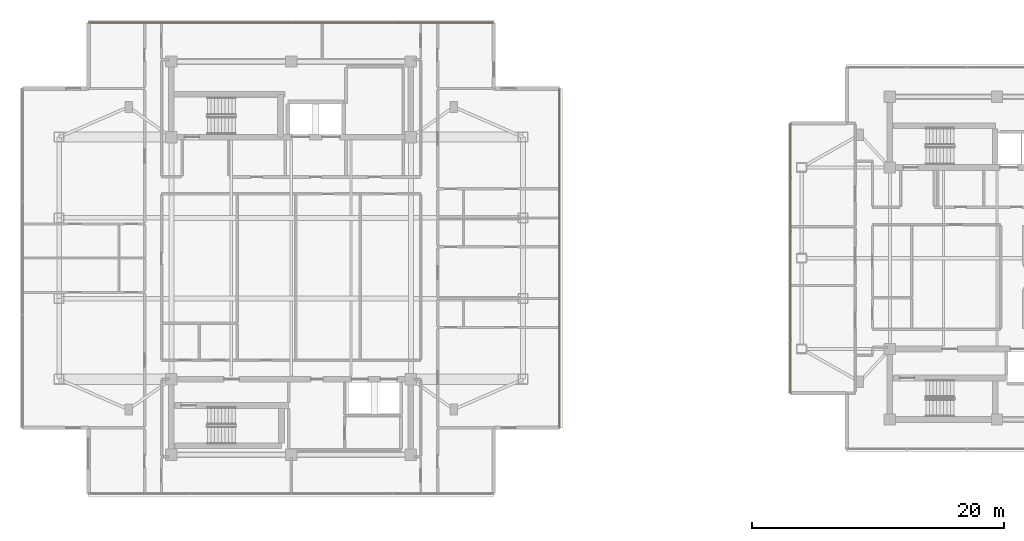
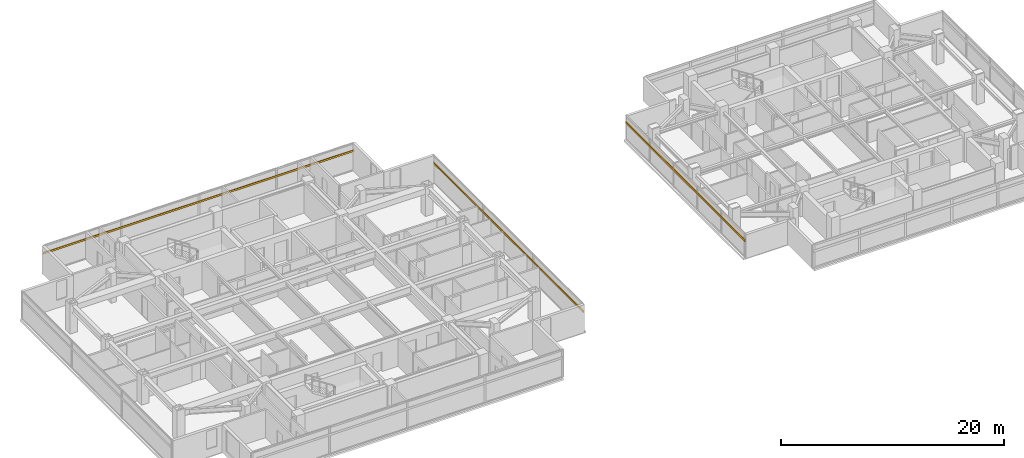
# One storey, part 19 of 21: 3 shading devices.
"""IFC4 building model written with IfcOpenShell, lengths in metres."""

from ifc_helpers import new_model, si_unit, direction, frame, origin, origin_2d, place, context, subcontext, project, spatial, rectangle, extrude, material, material_profile, profile_set, type_object, element, save


model = new_model("IFC4")

# Units and contexts
model_context = context("Model", 3, precision=1e-05, world=origin(), true_north=direction((0.0, 1.0)))
body_context = subcontext(model_context, "Body", "Model", "MODEL_VIEW")
ifc_project = project(units=[si_unit("LENGTHUNIT", "METRE"), si_unit("AREAUNIT", "SQUARE_METRE"), si_unit("VOLUMEUNIT", "CUBIC_METRE"), si_unit("PLANEANGLEUNIT", "RADIAN"), si_unit("MASSUNIT", "GRAM", prefix="KILO")], contexts=[model_context])

# Site, building, storey
site_placement = place(None, origin())
site = spatial("IfcSite", under=ifc_project, at=site_placement, CompositionType="ELEMENT")
building_placement = place(site_placement, origin())
building = spatial("IfcBuilding", under=site, at=building_placement, Name="Mirazonda Arch Towers", CompositionType="ELEMENT")
storey_placement = place(building_placement, frame((0.0, 0.0, 206.39990234375)))
storey = spatial("IfcBuildingStorey", under=building, at=storey_placement, Name="L59", CompositionType="ELEMENT", Elevation=206.39990234375)

# Shading devices
ifc_material = material(Name="Kiln-Fired Architectural Terracotta", Category="masonry")
ifc_material_profile_1 = material_profile(ifc_material, rectangle(XDim=0.1201171875, YDim=0.239990234375, at=origin_2d()), Name="TERRA-BAG-120x240")
ifc_profile_set_1 = profile_set([ifc_material_profile_1], Name="Kiln-Fired Architectural Terracotta")
shading_device_type_1 = type_object("IfcShadingDeviceType", Name="BAGUETTE-1", PredefinedType="USERDEFINED", material=ifc_profile_set_1)
shading_device_1_placement = place(storey_placement, frame((60.12255859375, 38.69873046875, 1.857666015625), z_axis=(0.0, -1.0, 0.0), x_axis=(1.0, 0.0, 0.0)))
element("IfcShadingDevice", 1, at=shading_device_1_placement, inside=storey, type_object=shading_device_type_1, Name="L59 Glazed Terracotta Sun-Screen Baguette CW-L59-T2-W", ObjectType="BAGUETTE", PredefinedType="USERDEFINED", context=body_context, shape_type="SweptSolid", body=[
    extrude(rectangle(XDim=0.1201171875, YDim=0.239990234375, at=origin_2d()), origin(), (0.0, 0.0, 1.0), 21.3974609375),
])
ifc_material_profile_2 = material_profile(ifc_material, rectangle(XDim=0.10009765625, YDim=0.199951171875, at=origin_2d()), Name="TERRA-BAG-100x200")
ifc_profile_set_2 = profile_set([ifc_material_profile_2], Name="Kiln-Fired Architectural Terracotta")
shading_device_type_2 = type_object("IfcShadingDeviceType", Name="BAGUETTE-2", PredefinedType="USERDEFINED", material=ifc_profile_set_2)
shading_device_2_placement = place(storey_placement, frame((41.7900390625, 14.5390625, 2.181640625), z_axis=(0.0, 1.0, 0.0), x_axis=(-1.0, 0.0, 0.0)))
element("IfcShadingDevice", 2, at=shading_device_2_placement, inside=storey, type_object=shading_device_type_2, Name="L59 Glazed Terracotta Sun-Screen Baguette CW-L59-T1-E", ObjectType="BAGUETTE", PredefinedType="USERDEFINED", context=body_context, shape_type="SweptSolid", body=[
    extrude(rectangle(XDim=0.10009765625, YDim=0.199951171875, at=origin_2d()), origin(), (0.0, 0.0, 1.0), 26.921875),
])
shading_device_3_placement = place(storey_placement, frame((4.425048828125, 46.676025390625, 2.181640625), z_axis=(1.0, 0.0, 0.0), x_axis=(0.0, 1.0, 0.0)))
element("IfcShadingDevice", 3, at=shading_device_3_placement, inside=storey, type_object=shading_device_type_2, Name="L59 Glazed Terracotta Sun-Screen Baguette CW-L59-T1-N", ObjectType="BAGUETTE", PredefinedType="USERDEFINED", context=body_context, shape_type="SweptSolid", body=[
    extrude(rectangle(XDim=0.10009765625, YDim=0.199951171875, at=origin_2d()), origin(), (0.0, 0.0, 1.0), 32.14990234375),
])

save(model, "model.ifc")
